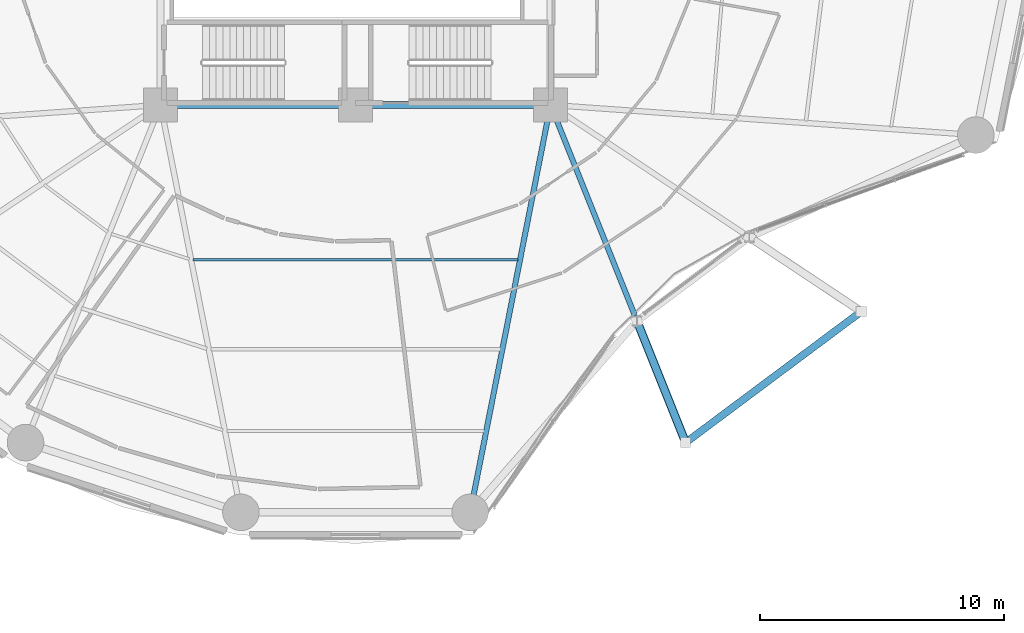
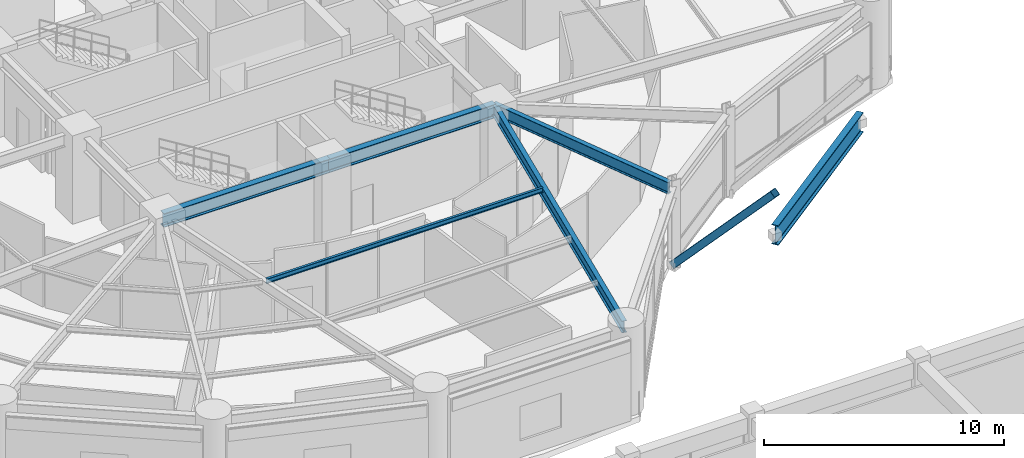
# One storey, part 21 of 55: 6 beams, 1 member.
"""IFC4 building model written with IfcOpenShell, lengths in metres."""

from ifc_helpers import new_model, si_unit, direction, frame, origin, origin_2d, place, context, subcontext, project, spatial, hollow_rectangle, i_section, extrude, material, material_profile, profile_set, type_object, element, save


model = new_model("IFC4")

# Units and contexts
model_context = context("Model", 3, precision=1e-05, world=origin(), true_north=direction((0.0, 1.0)))
body_context = subcontext(model_context, "Body", "Model", "MODEL_VIEW")
ifc_project = project(units=[si_unit("LENGTHUNIT", "METRE"), si_unit("AREAUNIT", "SQUARE_METRE"), si_unit("VOLUMEUNIT", "CUBIC_METRE"), si_unit("PLANEANGLEUNIT", "RADIAN"), si_unit("MASSUNIT", "GRAM", prefix="KILO")], contexts=[model_context])

# Site, building, storey
site_placement = place(None, origin())
site = spatial("IfcSite", under=ifc_project, at=site_placement, CompositionType="ELEMENT")
building_placement = place(site_placement, origin())
building = spatial("IfcBuilding", under=site, at=building_placement, Name="Kelanora Arch Commons", CompositionType="ELEMENT")
storey_placement = place(building_placement, frame((0.0, 0.0, 4.5)))
storey = spatial("IfcBuildingStorey", under=building, at=storey_placement, Name="L01", CompositionType="ELEMENT", Elevation=4.5)

# Beams
ifc_material = material(Name="Steel S355", Category="steel")
ifc_material_profile_1 = material_profile(ifc_material, i_section(OverallWidth=0.302001953125, OverallDepth=1.008056640625, WebThickness=0.02099609375, FlangeThickness=0.0400390625, FilletRadius=0.030029296875, at=origin_2d()), Name="HEM1000")
ifc_profile_set_1 = profile_set([ifc_material_profile_1], Name="Steel S355")
beam_type_1 = type_object("IfcBeamType", Name="BM-ARCH-RIB", PredefinedType="USERDEFINED", material=ifc_profile_set_1)
beam_1_placement = place(storey_placement, frame((87.5400390625, 37.14599609375, 3.89990234375), z_axis=(0.801467504127, 0.598038326388, 0.0), x_axis=(-0.598038326388, 0.801467504127, 0.0)))
element("IfcBeam", 1, at=beam_1_placement, inside=storey, type_object=beam_type_1, Name="Courtyard Portal Arch Rib SE-2", ObjectType="ARCH_RIB", PredefinedType="USERDEFINED", context=body_context, shape_type="SweptSolid", body=[
    extrude(i_section(OverallWidth=0.302001953125, OverallDepth=1.008056640625, WebThickness=0.02099609375, FlangeThickness=0.0400390625, FilletRadius=0.030029296875, at=origin_2d()), origin(), (0.0, 0.0, 1.0), 8.989013671875),
])
ifc_material_profile_2 = material_profile(ifc_material, i_section(OverallWidth=0.300048828125, OverallDepth=0.699951171875, WebThickness=0.01708984375, FlangeThickness=0.031982421875, FilletRadius=0.027099609375, at=origin_2d()), Name="HEB700")
ifc_profile_set_2 = profile_set([ifc_material_profile_2], Name="Steel S355")
beam_type_2 = type_object("IfcBeamType", Name="BM-CORE-HDR", PredefinedType="BEAM", material=ifc_profile_set_2)
for number, where, z_axis, x_axis, name in (
    (2, (66.0, 51.0, 3.85009765625), (1.0, 0.0, 0.0), (0.0, 1.0, 0.0), "Core Header Beam 01 L01"),
    (3, (74.0, 51.0, 3.85009765625), (1.0, 0.0, 0.0), (0.0, 1.0, 0.0), "Core Header Beam 02 L01"),
):
    element("IfcBeam", number, at=place(storey_placement, frame(where, z_axis=z_axis, x_axis=x_axis)), inside=storey, type_object=beam_type_2, Name=name, PredefinedType="BEAM", context=body_context, shape_type="SweptSolid", body=[
        extrude(i_section(OverallWidth=0.300048828125, OverallDepth=0.699951171875, WebThickness=0.01708984375, FlangeThickness=0.031982421875, FilletRadius=0.027099609375, at=origin_2d()), origin(), (0.0, 0.0, 1.0), 8.0),
    ])
ifc_material_profile_3 = material_profile(ifc_material, i_section(OverallWidth=0.1201171875, OverallDepth=0.239990234375, WebThickness=0.006103515625, FlangeThickness=0.009765625, FilletRadius=0.014892578125, at=origin_2d()), Name="IPE240")
ifc_profile_set_3 = profile_set([ifc_material_profile_3], Name="Steel S355")
beam_type_3 = type_object("IfcBeamType", Name="BM-JST-02", PredefinedType="JOIST", material=ifc_profile_set_3)
beam_2_placement = place(storey_placement, frame((67.338134765625, 44.648681640625, 4.080078125), z_axis=(1.0, 0.0, 0.0), x_axis=(0.0, 1.0, 0.0)))
element("IfcBeam", 4, at=beam_2_placement, inside=storey, type_object=beam_type_3, Name="Secondary Chord Joist BJA-26 L01", PredefinedType="JOIST", context=body_context, shape_type="SweptSolid", body=[
    extrude(i_section(OverallWidth=0.1201171875, OverallDepth=0.239990234375, WebThickness=0.006103515625, FlangeThickness=0.009765625, FilletRadius=0.014892578125, at=origin_2d()), origin(), (0.0, 0.0, 1.0), 13.32373046875),
])
ifc_material_profile_4 = material_profile(ifc_material, i_section(OverallWidth=0.219970703125, OverallDepth=0.60009765625, WebThickness=0.011962890625, FlangeThickness=0.01904296875, FilletRadius=0.02392578125, at=origin_2d()), Name="IPE600")
ifc_profile_set_4 = profile_set([ifc_material_profile_4], Name="Steel S355")
beam_type_4 = type_object("IfcBeamType", Name="BM-RAD-Z1", PredefinedType="BEAM", material=ifc_profile_set_4)
beam_3_placement = place(storey_placement, frame((82.0, 51.0, 3.89990234375), z_axis=(-0.193555256292, -0.981089375522, 0.0), x_axis=(0.981089375522, -0.193555256292, 0.0)))
element("IfcBeam", 5, at=beam_3_placement, inside=storey, type_object=beam_type_4, Name="Radial Floor Girder BR-28 L01", PredefinedType="BEAM", context=body_context, shape_type="SweptSolid", body=[
    extrude(i_section(OverallWidth=0.219970703125, OverallDepth=0.60009765625, WebThickness=0.011962890625, FlangeThickness=0.01904296875, FilletRadius=0.02392578125, at=origin_2d()), origin(), (0.0, 0.0, 1.0), 16.81640625),
])
beam_4_placement = place(storey_placement, frame((82.0, 51.0, 3.89990234375), z_axis=(0.371300433106, -0.928512783098, 0.0), x_axis=(0.928512783098, 0.371300433106, 0.0)))
element("IfcBeam", 6, at=beam_4_placement, inside=storey, type_object=beam_type_4, Name="Radial Floor Girder BR-30 L01", PredefinedType="BEAM", context=body_context, shape_type="SweptSolid", body=[
    extrude(i_section(OverallWidth=0.219970703125, OverallDepth=0.60009765625, WebThickness=0.011962890625, FlangeThickness=0.01904296875, FilletRadius=0.02392578125, at=origin_2d()), origin(), (0.0, 0.0, 1.0), 9.3291015625),
])

# Member
ifc_material_profile_5 = material_profile(ifc_material, hollow_rectangle(XDim=0.35009765625, YDim=0.35009765625, WallThickness=0.01611328125, InnerFilletRadius=0.01611328125, OuterFilletRadius=0.031982421875, at=origin_2d()), Name="SHS350x350x16")
ifc_profile_set_5 = profile_set([ifc_material_profile_5], Name="Steel S355")
member_type = type_object("IfcMemberType", Name="MEM-BELT-STRUT", PredefinedType="STRUT", material=ifc_profile_set_5)
member_placement = place(storey_placement, frame((85.545654296875, 42.133544921875, 0.10009765625), z_axis=(0.249033409148, -0.622781676519, 0.741704351153), x_axis=(0.928517434423, 0.371288801302, 0.0)))
element("IfcMember", 7, at=member_placement, inside=storey, type_object=member_type, Name="Courtyard Overhang Raking Strut 30", PredefinedType="STRUT", context=body_context, shape_type="SweptSolid", body=[
    extrude(hollow_rectangle(XDim=0.35009765625, YDim=0.35009765625, WallThickness=0.01611328125, InnerFilletRadius=0.01611328125, OuterFilletRadius=0.031982421875, at=origin_2d()), origin(), (0.0, 0.0, 1.0), 8.008544921875),
])

save(model, "model.ifc")
